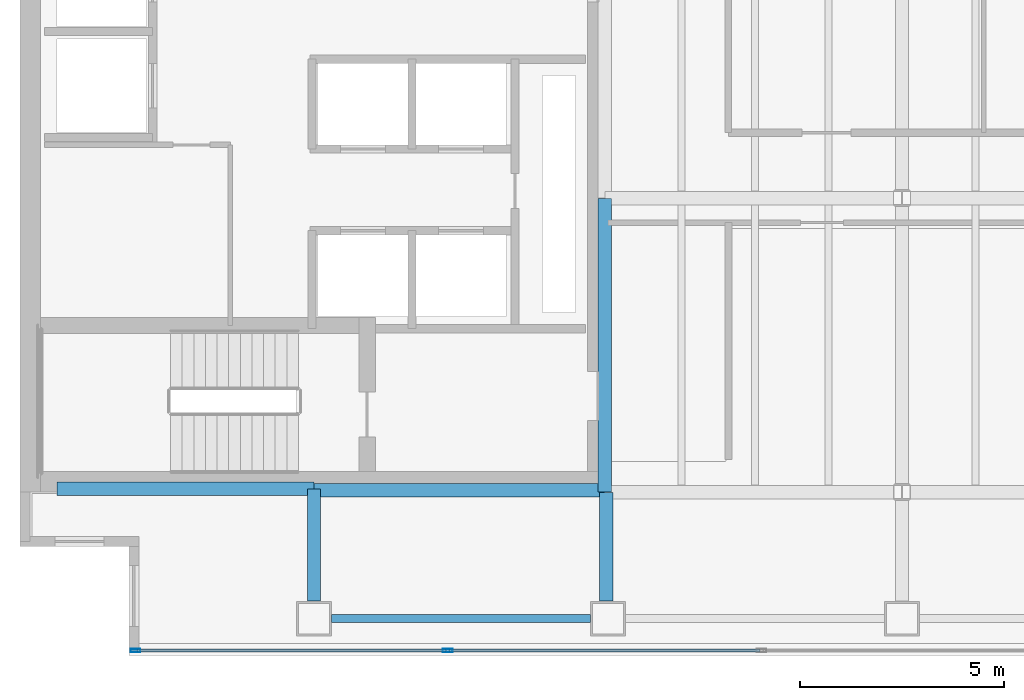
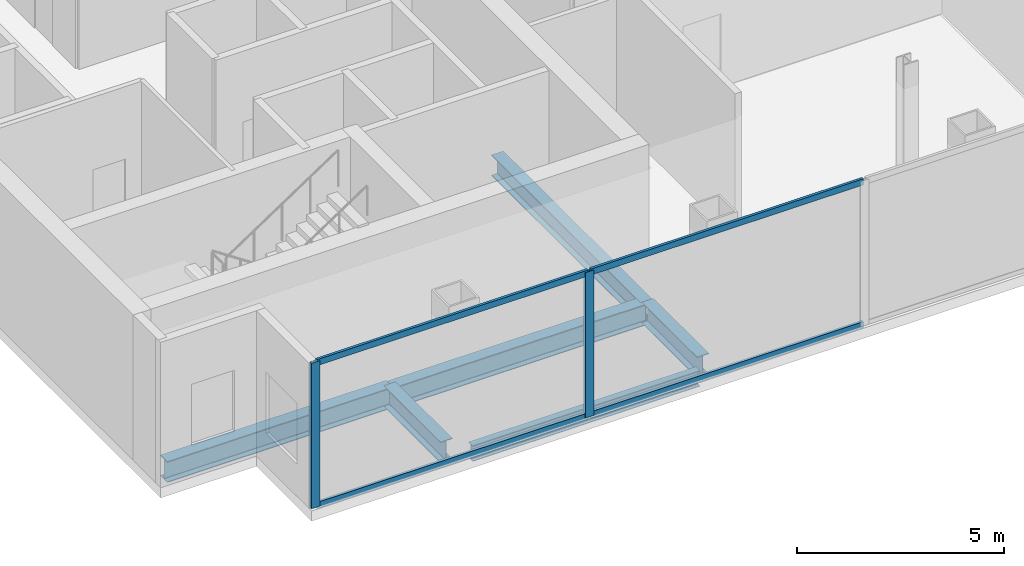
# One storey, part 2 of 20: 6 beams, 6 members, 1 element without a shape of its own.
"""IFC4 building model written with IfcOpenShell, lengths in metres."""

from ifc_helpers import new_model, si_unit, direction, frame, origin, origin_2d, place, context, subcontext, project, spatial, hollow_rectangle, i_section, extrude, material, material_profile, profile_set, type_object, element, aggregate, save


model = new_model("IFC4")

# Units and contexts
model_context = context("Model", 3, precision=1e-05, world=origin(), true_north=direction((0.0, 1.0)))
body_context = subcontext(model_context, "Body", "Model", "MODEL_VIEW")
ifc_project = project(units=[si_unit("LENGTHUNIT", "METRE"), si_unit("AREAUNIT", "SQUARE_METRE"), si_unit("VOLUMEUNIT", "CUBIC_METRE"), si_unit("PLANEANGLEUNIT", "RADIAN"), si_unit("MASSUNIT", "GRAM", prefix="KILO")], contexts=[model_context])

# Site, building, storey
site_placement = place(None, origin())
site = spatial("IfcSite", under=ifc_project, at=site_placement, CompositionType="ELEMENT")
building_placement = place(site_placement, origin())
building = spatial("IfcBuilding", under=site, at=building_placement, Name="Cobrela Telecom Tower", CompositionType="ELEMENT")
storey_placement = place(building_placement, frame((0.0, 0.0, 168.699951171875)))
storey = spatial("IfcBuildingStorey", under=building, at=storey_placement, Name="L42", CompositionType="ELEMENT", Elevation=168.699951171875)

# Beams
ifc_material_1 = material(Name="Steel ASTM A992 Grade 50", Category="steel")
ifc_material_profile_1 = material_profile(ifc_material_1, i_section(OverallWidth=0.327880859375, OverallDepth=0.6220703125, WebThickness=0.015380859375, FlangeThickness=0.0244140625, FilletRadius=0.014892578125, at=origin_2d()), Name="W24X131")
ifc_profile_set_1 = profile_set([ifc_material_profile_1], Name="Steel ASTM A992 Grade 50")
beam_type_1 = type_object("IfcBeamType", Name="BM-GIRD-06", PredefinedType="USERDEFINED", material=ifc_profile_set_1)
beam_1_placement = place(storey_placement, frame((0.905029296875, 7.280029296875, -0.61083984375), z_axis=(1.0, 0.0, 0.0), x_axis=(0.0, 1.0, 0.0)))
element("IfcBeam", 1, at=beam_1_placement, inside=storey, type_object=beam_type_1, Name="L42 Primary Girder X05", ObjectType="GIRDER", PredefinedType="USERDEFINED", context=body_context, shape_type="SweptSolid", body=[
    extrude(i_section(OverallWidth=0.327880859375, OverallDepth=0.6220703125, WebThickness=0.015380859375, FlangeThickness=0.0244140625, FilletRadius=0.014892578125, at=origin_2d()), origin(), (0.0, 0.0, 1.0), 6.2900390625),
])
beam_2_placement = place(storey_placement, frame((7.205078125, 7.239990234375, -0.61083984375), z_axis=(1.0, 0.0, 0.0), x_axis=(0.0, 1.0, 0.0)))
element("IfcBeam", 2, at=beam_2_placement, inside=storey, type_object=beam_type_1, Name="L42 Primary Girder X06", ObjectType="GIRDER", PredefinedType="USERDEFINED", context=body_context, shape_type="SweptSolid", body=[
    extrude(i_section(OverallWidth=0.327880859375, OverallDepth=0.6220703125, WebThickness=0.015380859375, FlangeThickness=0.0244140625, FilletRadius=0.014892578125, at=origin_2d()), origin(), (0.0, 0.0, 1.0), 7.10986328125),
])
beam_3_placement = place(storey_placement, frame((7.199951171875, 4.530029296875, -0.61083984375), z_axis=(0.0, 1.0, 0.0), x_axis=(-1.0, 0.0, 0.0)))
element("IfcBeam", 3, at=beam_3_placement, inside=storey, type_object=beam_type_1, Name="L42 Primary Girder Y24", ObjectType="GIRDER", PredefinedType="USERDEFINED", context=body_context, shape_type="SweptSolid", body=[
    extrude(i_section(OverallWidth=0.327880859375, OverallDepth=0.6220703125, WebThickness=0.015380859375, FlangeThickness=0.0244140625, FilletRadius=0.014892578125, at=origin_2d()), origin(), (0.0, 0.0, 1.0), 2.744873046875),
])
beam_4_placement = place(storey_placement, frame((14.360107421875, 4.530029296875, -0.61083984375), z_axis=(0.0, 1.0, 0.0), x_axis=(-1.0, 0.0, 0.0)))
element("IfcBeam", 4, at=beam_4_placement, inside=storey, type_object=beam_type_1, Name="L42 Primary Girder Y25", ObjectType="GIRDER", PredefinedType="USERDEFINED", context=body_context, shape_type="SweptSolid", body=[
    extrude(i_section(OverallWidth=0.327880859375, OverallDepth=0.6220703125, WebThickness=0.015380859375, FlangeThickness=0.0244140625, FilletRadius=0.014892578125, at=origin_2d()), origin(), (0.0, 0.0, 1.0), 2.6650390625),
])
beam_5_placement = place(storey_placement, frame((14.320068359375, 7.205078125, -0.61083984375), z_axis=(0.0, 1.0, 0.0), x_axis=(-1.0, 0.0, 0.0)))
element("IfcBeam", 5, at=beam_5_placement, inside=storey, type_object=beam_type_1, Name="L42 Primary Girder Y26", ObjectType="GIRDER", PredefinedType="USERDEFINED", context=body_context, shape_type="SweptSolid", body=[
    extrude(i_section(OverallWidth=0.327880859375, OverallDepth=0.6220703125, WebThickness=0.015380859375, FlangeThickness=0.0244140625, FilletRadius=0.014892578125, at=origin_2d()), origin(), (0.0, 0.0, 1.0), 7.18994140625),
])
ifc_material_profile_2 = material_profile(ifc_material_1, i_section(OverallWidth=0.193115234375, OverallDepth=0.467041015625, WebThickness=0.011474609375, FlangeThickness=0.01904296875, FilletRadius=0.012939453125, at=origin_2d()), Name="W18X65")
ifc_profile_set_2 = profile_set([ifc_material_profile_2], Name="Steel ASTM A992 Grade 50")
beam_type_2 = type_object("IfcBeamType", Name="BM-SPAND-05", PredefinedType="SPANDREL", material=ifc_profile_set_2)
beam_6_placement = place(storey_placement, frame((7.6298828125, 4.10009765625, -0.533447265625), z_axis=(1.0, 0.0, 0.0), x_axis=(0.0, 1.0, 0.0)))
element("IfcBeam", 6, at=beam_6_placement, inside=storey, type_object=beam_type_2, Name="L42 Perimeter Spandrel X01", PredefinedType="SPANDREL", context=body_context, shape_type="SweptSolid", body=[
    extrude(i_section(OverallWidth=0.193115234375, OverallDepth=0.467041015625, WebThickness=0.011474609375, FlangeThickness=0.01904296875, FilletRadius=0.012939453125, at=origin_2d()), origin(), (0.0, 0.0, 1.0), 6.340087890625),
])

# Curtain wall, members
ifc_material_2 = material(Name="Anodized Bronze Aluminium 6063-T6", Category="aluminium")
curtain_wall_type = type_object("IfcCurtainWallType", Name="CW-SYS-SKY", PredefinedType="USERDEFINED", material=ifc_material_2)
curtain_wall_placement = place(storey_placement, origin())
curtain_wall = element("IfcCurtainWall", 7, at=curtain_wall_placement, inside=storey, type_object=curtain_wall_type, Name="L42 Unitised Bronze Curtain Wall 17", ObjectType="UNITISED CURTAIN WALL", PredefinedType="USERDEFINED")
ifc_material_profile_3 = material_profile(ifc_material_2, hollow_rectangle(XDim=0.080078125, YDim=0.239990234375, WallThickness=0.0048828125, at=origin_2d()), Name="ALU 80x240x5")
ifc_profile_set_3 = profile_set([ifc_material_profile_3], Name="Anodized Bronze Aluminium 6063-T6")
member_type_1 = type_object("IfcMemberType", Name="CW-SYS-SKY-MUL", PredefinedType="MULLION", material=ifc_profile_set_3)
member_1_placement = place(storey_placement, frame((10.47412109375, 3.320068359375, 0.0), z_axis=(0.0, 0.0, 1.0), x_axis=(0.0, -1.0, 0.0)))
member_1 = element("IfcMember", 8, at=member_1_placement, type_object=member_type_1, Name="CW-SKY mullion 5", PredefinedType="MULLION", context=body_context, shape_type="SweptSolid", body=[
    extrude(hollow_rectangle(XDim=0.080078125, YDim=0.239990234375, WallThickness=0.0048828125, at=origin_2d()), origin(), (0.0, 0.0, 1.0), 4.2900390625),
])
member_2_placement = place(storey_placement, frame((2.830078125, 3.320068359375, 0.0), z_axis=(0.0, 0.0, 1.0), x_axis=(0.0, -1.0, 0.0)))
member_2 = element("IfcMember", 9, at=member_2_placement, type_object=member_type_1, Name="CW-SKY mullion 6", PredefinedType="MULLION", context=body_context, shape_type="SweptSolid", body=[
    extrude(hollow_rectangle(XDim=0.080078125, YDim=0.239990234375, WallThickness=0.0048828125, at=origin_2d()), origin(), (0.0, 0.0, 1.0), 4.2900390625),
])
ifc_material_profile_4 = material_profile(ifc_material_2, hollow_rectangle(XDim=0.074951171875, YDim=0.179931640625, WallThickness=0.00390625, at=origin_2d()), Name="ALU 75x180x4")
ifc_profile_set_4 = profile_set([ifc_material_profile_4], Name="Anodized Bronze Aluminium 6063-T6")
member_type_2 = type_object("IfcMemberType", Name="CW-SYS-SKY-TRN", PredefinedType="USERDEFINED", material=ifc_profile_set_4)
member_3_placement = place(storey_placement, frame((18.117919921875, 3.320068359375, 0.03759765625), z_axis=(-1.0, 0.0, 0.0), x_axis=(0.0, -1.0, 0.0)))
member_3 = element("IfcMember", 10, at=member_3_placement, type_object=member_type_2, Name="CW-SKY transom 4.1", ObjectType="TRANSOM", PredefinedType="USERDEFINED", context=body_context, shape_type="SweptSolid", body=[
    extrude(hollow_rectangle(XDim=0.074951171875, YDim=0.179931640625, WallThickness=0.00390625, at=origin_2d()), origin(), (0.0, 0.0, 1.0), 7.60400390625),
])
member_4_placement = place(storey_placement, frame((18.117919921875, 3.320068359375, 4.25244140625), z_axis=(-1.0, 0.0, 0.0), x_axis=(0.0, -1.0, 0.0)))
member_4 = element("IfcMember", 11, at=member_4_placement, type_object=member_type_2, Name="CW-SKY transom 4.2", ObjectType="TRANSOM", PredefinedType="USERDEFINED", context=body_context, shape_type="SweptSolid", body=[
    extrude(hollow_rectangle(XDim=0.074951171875, YDim=0.179931640625, WallThickness=0.00390625, at=origin_2d()), origin(), (0.0, 0.0, 1.0), 7.60400390625),
])
member_5_placement = place(storey_placement, frame((10.43408203125, 3.320068359375, 0.03759765625), z_axis=(-1.0, 0.0, 0.0), x_axis=(0.0, -1.0, 0.0)))
member_5 = element("IfcMember", 12, at=member_5_placement, type_object=member_type_2, Name="CW-SKY transom 5.1", ObjectType="TRANSOM", PredefinedType="USERDEFINED", context=body_context, shape_type="SweptSolid", body=[
    extrude(hollow_rectangle(XDim=0.074951171875, YDim=0.179931640625, WallThickness=0.00390625, at=origin_2d()), origin(), (0.0, 0.0, 1.0), 7.56396484375),
])
member_6_placement = place(storey_placement, frame((10.43408203125, 3.320068359375, 4.25244140625), z_axis=(-1.0, 0.0, 0.0), x_axis=(0.0, -1.0, 0.0)))
member_6 = element("IfcMember", 13, at=member_6_placement, type_object=member_type_2, Name="CW-SKY transom 5.2", ObjectType="TRANSOM", PredefinedType="USERDEFINED", context=body_context, shape_type="SweptSolid", body=[
    extrude(hollow_rectangle(XDim=0.074951171875, YDim=0.179931640625, WallThickness=0.00390625, at=origin_2d()), origin(), (0.0, 0.0, 1.0), 7.56396484375),
])
aggregate(curtain_wall, [member_1, member_2, member_3, member_4, member_5, member_6])

save(model, "model.ifc")
